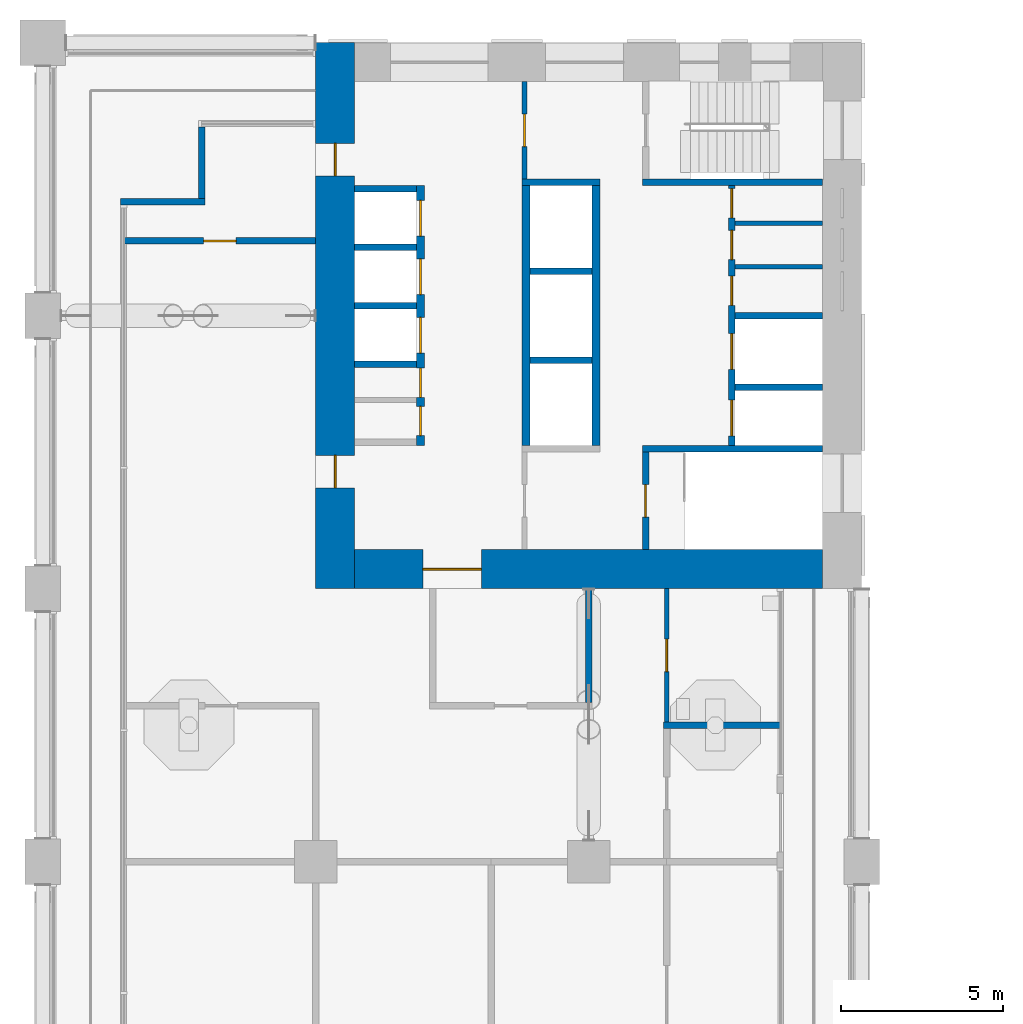
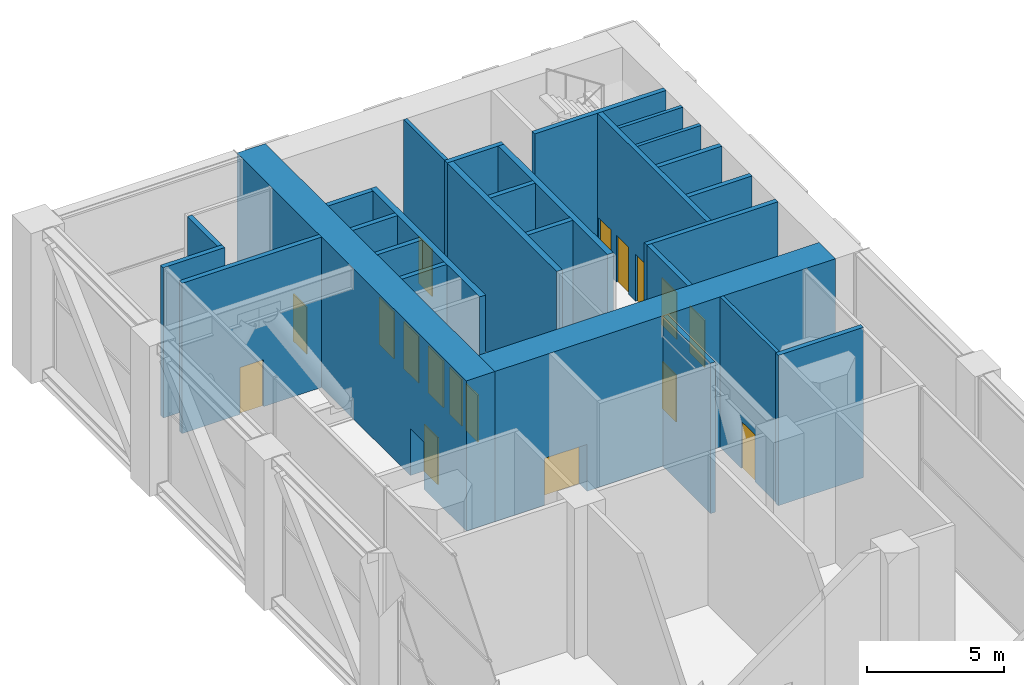
# One storey, part 13 of 28: 27 walls, 17 doors, 17 openings.
"""IFC4 building model written with IfcOpenShell, lengths in metres."""

from ifc_helpers import new_model, si_unit, direction, frame, frame_2d, origin, place, context, subcontext, project, spatial, rectangle, extrude, material, layer, layer_set, type_object, element, fill, save


model = new_model("IFC4")

# Units and contexts
model_context = context("Model", 3, precision=1e-05, world=origin(), true_north=direction((0.0, 1.0)))
body_context = subcontext(model_context, "Body", "Model", "MODEL_VIEW")
ifc_project = project(units=[si_unit("LENGTHUNIT", "METRE"), si_unit("AREAUNIT", "SQUARE_METRE"), si_unit("VOLUMEUNIT", "CUBIC_METRE"), si_unit("PLANEANGLEUNIT", "RADIAN"), si_unit("MASSUNIT", "GRAM", prefix="KILO")], contexts=[model_context])

# Site, building, storey
site_placement = place(None, origin())
site = spatial("IfcSite", under=ifc_project, at=site_placement, CompositionType="ELEMENT")
building_placement = place(site_placement, origin())
building = spatial("IfcBuilding", under=site, at=building_placement, Name="Vermilion Gate Residences", CompositionType="ELEMENT")
storey_placement = place(building_placement, frame((0.0, 0.0, 74.199951171875)))
storey = spatial("IfcBuildingStorey", under=building, at=storey_placement, Name="L18", CompositionType="ELEMENT", Elevation=74.199951171875)

# Walls
ifc_material_1 = material(Name="Masonry blockwork", Category="masonry")
ifc_layer_1 = layer(ifc_material_1, 0.14990234375)
ifc_layer_set_1 = layer_set([ifc_layer_1], Name="BLOCKWORK PARTITION 150 EI 120")
wall_type_1 = type_object("IfcWallType", Name="BLOCKWORK PARTITION 150 EI 120", PredefinedType="PARTITIONING", material=ifc_layer_set_1)
for number, where, z_axis, x_axis, name in (
    (1, (21.300048828125, 53.2451171875, 0.0), (0.0, 0.0, 1.0), (1.0, 0.0, 0.0), "Core room partition B18-NR-P0"),
    (2, (21.300048828125, 51.906982421875, 0.0), (0.0, 0.0, 1.0), (1.0, 0.0, 0.0), "Core room partition B18-NR-P1"),
):
    element("IfcWall", number, at=place(storey_placement, frame(where, z_axis=z_axis, x_axis=x_axis)), inside=storey, type_object=wall_type_1, Name=name, PredefinedType="PARTITIONING", context=body_context, shape_type="SweptSolid", body=[
        extrude(rectangle(XDim=2.699951171875, YDim=0.14990234375, at=frame_2d((1.35009765625, 0.0))), origin(), (0.0, 0.0, 1.0), 6.719970703125),
    ])

# Wall, opening, door
wall_1_placement = place(storey_placement, frame((14.824951171875, 57.60009765625, 0.0), z_axis=(0.0, 0.0, 1.0), x_axis=(0.0, -1.0, 0.0)))
wall_1 = element("IfcWall", 3, at=wall_1_placement, inside=storey, type_object=wall_type_1, Name="Core room partition B18-VW-S", PredefinedType="PARTITIONING", context=body_context, shape_type="SweptSolid", body=[
    extrude(rectangle(XDim=3.0, YDim=0.14990234375, at=frame_2d((1.5, 0.0))), origin(), (0.0, 0.0, 1.0), 6.719970703125),
])
opening_1_placement = place(wall_1_placement, frame((1.0, 0.0, 0.0)))
opening_1 = element("IfcOpeningElement", 4, at=opening_1_placement, cuts=wall_1, Name="Opening DK18114", PredefinedType="OPENING", context=body_context, shape_type="SweptSolid", body=[
    extrude(rectangle(XDim=1.0, YDim=2.10009765625, at=frame_2d((0.5, 1.050048828125))), frame((0.0, 0.0849609375, 0.0), z_axis=(0.0, -1.0, 0.0), x_axis=(1.0, 0.0, 0.0)), (0.0, 0.0, 1.0), 0.169921875),
])
ifc_material_2 = material(Name="Steel", Category="steel")
door_type_1 = type_object("IfcDoorType", Name="FIRE DOOR FD60 1000 X 2100", OperationType="SINGLE_SWING_LEFT", PredefinedType="DOOR", material=ifc_material_2)
door_1_placement = place(opening_1_placement, frame((1.0, 0.0, 0.0), z_axis=(0.0, 0.0, 1.0), x_axis=(-1.0, 0.0, 0.0)))
door_1 = element("IfcDoor", 5, at=door_1_placement, inside=storey, type_object=door_type_1, Name="Stair vestibule door B18", OperationType="SINGLE_SWING_RIGHT", OverallHeight=2.10009765625, OverallWidth=1.0, PredefinedType="DOOR", context=body_context, shape_type="SweptSolid", body=[
    extrude(rectangle(XDim=1.0, YDim=2.10009765625, at=frame_2d((0.5, 1.050048828125))), frame((0.0, 0.02490234375, 0.0), z_axis=(0.0, -1.0, 0.0), x_axis=(1.0, 0.0, 0.0)), (0.0, 0.0, 1.0), 0.050048828125),
])
fill(opening_1, door_1)

# Walls
ifc_material_3 = material(Name="Insulated steel stud wall with terracotta rainscreen", Category="masonry")
ifc_layer_2 = layer(ifc_material_3, 0.199951171875)
ifc_layer_set_2 = layer_set([ifc_layer_2], Name="EXTERNAL WALL 200 TERRACOTTA RAINSCREEN")
wall_type_2 = type_object("IfcWallType", Name="EXTERNAL WALL 200 TERRACOTTA RAINSCREEN", PredefinedType="SOLIDWALL", material=ifc_layer_set_2)
wall_2_placement = place(storey_placement, frame((4.89990234375, 56.199951171875, 0.0), z_axis=(0.0, 0.0, 1.0), x_axis=(0.0, -1.0, 0.0)))
element("IfcWall", 6, at=wall_2_placement, inside=storey, type_object=wall_type_2, Name="External wall", PredefinedType="SOLIDWALL", context=body_context, shape_type="SweptSolid", body=[
    extrude(rectangle(XDim=2.199951171875, YDim=0.199951171875, at=frame_2d((1.10009765625, 0.0))), origin(), (0.0, 0.0, 1.0), 6.719970703125),
])
wall_3_placement = place(storey_placement, frame((5.0, 53.89990234375, 0.0), z_axis=(0.0, 0.0, 1.0), x_axis=(-1.0, 0.0, 0.0)))
element("IfcWall", 7, at=wall_3_placement, inside=storey, type_object=wall_type_2, Name="External wall", PredefinedType="SOLIDWALL", context=body_context, shape_type="SweptSolid", body=[
    extrude(rectangle(XDim=2.60009765625, YDim=0.199951171875, at=frame_2d((1.300048828125, 0.0))), origin(), (0.0, 0.0, 1.0), 6.719970703125),
])

# Wall, opening, door
ifc_material_4 = material(Name="Concrete blockwork", Category="masonry")
ifc_layer_3 = layer(ifc_material_4, 0.199951171875)
ifc_layer_set_3 = layer_set([ifc_layer_3], Name="FIRE WALL 200 EI 120 (AMENITY)")
wall_type_3 = type_object("IfcWallType", Name="FIRE WALL 200 EI 120 (AMENITY)", PredefinedType="PARTITIONING", material=ifc_layer_set_3)
wall_4_placement = place(storey_placement, frame((2.5, 52.699951171875, 0.0), z_axis=(0.0, 0.0, 1.0), x_axis=(1.0, 0.0, 0.0)))
wall_4 = element("IfcWall", 8, at=wall_4_placement, inside=storey, type_object=wall_type_3, Name="Fire-resisting wall 7", PredefinedType="PARTITIONING", context=body_context, shape_type="SweptSolid", body=[
    extrude(rectangle(XDim=5.89990234375, YDim=0.199951171875, at=frame_2d((2.949951171875, 0.0))), origin(), (0.0, 0.0, 1.0), 6.719970703125),
])
opening_2_placement = place(wall_4_placement, frame((2.449951171875, 0.0, 0.0)))
opening_2 = element("IfcOpeningElement", 9, at=opening_2_placement, cuts=wall_4, Name="Opening DM18016", PredefinedType="OPENING", context=body_context, shape_type="SweptSolid", body=[
    extrude(rectangle(XDim=1.0, YDim=2.10009765625, at=frame_2d((0.5, 1.050048828125))), frame((0.0, 0.10986328125, 0.0), z_axis=(0.0, -1.0, 0.0), x_axis=(1.0, 0.0, 0.0)), (0.0, 0.0, 1.0), 0.219970703125),
])
ifc_material_5 = material(Name="Steel", Category="steel")
door_type_2 = type_object("IfcDoorType", Name="DOOR 1000 X 2100 FD60 (AMENITY)", OperationType="SINGLE_SWING_LEFT", PredefinedType="DOOR", material=ifc_material_5)
door_2_placement = place(opening_2_placement, frame((1.0, 0.0, 0.0), z_axis=(0.0, 0.0, 1.0), x_axis=(-1.0, 0.0, 0.0)))
door_2 = element("IfcDoor", 10, at=door_2_placement, inside=storey, type_object=door_type_2, Name="Door L18 16", OperationType="SINGLE_SWING_RIGHT", OverallHeight=2.10009765625, OverallWidth=1.0, PredefinedType="DOOR", context=body_context, shape_type="SweptSolid", body=[
    extrude(rectangle(XDim=1.0, YDim=2.10009765625, at=frame_2d((0.5, 1.050048828125))), frame((0.0, 0.02490234375, 0.0), z_axis=(0.0, -1.0, 0.0), x_axis=(1.0, 0.0, 0.0)), (0.0, 0.0, 1.0), 0.050048828125),
])
fill(opening_2, door_2)

# Walls
wall_5_placement = place(storey_placement, frame((16.800048828125, 38.5, 0.0), z_axis=(0.0, 0.0, 1.0), x_axis=(0.0, 1.0, 0.0)))
element("IfcWall", 11, at=wall_5_placement, inside=storey, type_object=wall_type_3, Name="Fire-resisting wall 19", PredefinedType="PARTITIONING", context=body_context, shape_type="SweptSolid", body=[
    extrude(rectangle(XDim=3.5, YDim=0.199951171875, at=frame_2d((1.75, 0.0))), origin(), (0.0, 0.0, 1.0), 6.719970703125),
])
wall_6_placement = place(storey_placement, frame((19.10009765625, 37.800048828125, 0.0), z_axis=(0.0, 0.0, 1.0), x_axis=(1.0, 0.0, 0.0)))
element("IfcWall", 12, at=wall_6_placement, inside=storey, type_object=wall_type_3, Name="Fire-resisting wall 27", PredefinedType="PARTITIONING", context=body_context, shape_type="SweptSolid", body=[
    extrude(rectangle(XDim=3.599853515625, YDim=0.199951171875, at=frame_2d((1.7998046875, 0.0))), origin(), (0.0, 0.0, 1.0), 6.719970703125),
])

# Wall, opening, door
ifc_material_6 = material(Name="Gypsum board on steel studs", Category="steel")
ifc_layer_4 = layer(ifc_material_6, 0.14990234375)
ifc_layer_set_4 = layer_set([ifc_layer_4], Name="PARTITION 150 EI 60 (AMENITY)")
wall_type_4 = type_object("IfcWallType", Name="PARTITION 150 EI 60 (AMENITY)", PredefinedType="PARTITIONING", material=ifc_layer_set_4)
wall_7_placement = place(storey_placement, frame((19.199951171875, 37.89990234375, 0.0), z_axis=(0.0, 0.0, 1.0), x_axis=(0.0, 1.0, 0.0)))
wall_7 = element("IfcWall", 13, at=wall_7_placement, inside=storey, type_object=wall_type_4, Name="Partition 26", PredefinedType="PARTITIONING", context=body_context, shape_type="SweptSolid", body=[
    extrude(rectangle(XDim=4.10009765625, YDim=0.14990234375, at=frame_2d((2.050048828125, 0.0))), origin(), (0.0, 0.0, 1.0), 6.719970703125),
])
opening_3_placement = place(wall_7_placement, frame((1.550048828125, 0.0, 0.0)))
opening_3 = element("IfcOpeningElement", 14, at=opening_3_placement, cuts=wall_7, Name="Opening DM18007", PredefinedType="OPENING", context=body_context, shape_type="SweptSolid", body=[
    extrude(rectangle(XDim=1.0, YDim=2.10009765625, at=frame_2d((0.5, 1.050048828125))), frame((0.0, 0.0849609375, 0.0), z_axis=(0.0, -1.0, 0.0), x_axis=(1.0, 0.0, 0.0)), (0.0, 0.0, 1.0), 0.169921875),
])
ifc_material_7 = material(Name="Steel", Category="steel")
door_type_3 = type_object("IfcDoorType", Name="DOOR 1000 X 2100 FD30 (AMENITY)", OperationType="SINGLE_SWING_LEFT", PredefinedType="DOOR", material=ifc_material_7)
door_3_placement = place(opening_3_placement, frame((1.0, 0.0, 0.0), z_axis=(0.0, 0.0, 1.0), x_axis=(-1.0, 0.0, 0.0)))
door_3 = element("IfcDoor", 15, at=door_3_placement, inside=storey, type_object=door_type_3, Name="Door L18 7", OperationType="SINGLE_SWING_RIGHT", OverallHeight=2.10009765625, OverallWidth=1.0, PredefinedType="DOOR", context=body_context, shape_type="SweptSolid", body=[
    extrude(rectangle(XDim=1.0, YDim=2.10009765625, at=frame_2d((0.5, 1.050048828125))), frame((0.0, 0.02490234375, 0.0), z_axis=(0.0, -1.0, 0.0), x_axis=(1.0, 0.0, 0.0)), (0.0, 0.0, 1.0), 0.050048828125),
])
fill(opening_3, door_3)

# Walls
ifc_material_8 = material(Name="Concrete C60", Category="concrete")
ifc_layer_5 = layer(ifc_material_8, 0.199951171875)
ifc_layer_set_5 = layer_set([ifc_layer_5], Name="RC CORE INTERNAL WALL 200 C60")
wall_type_5 = type_object("IfcWallType", Name="RC CORE INTERNAL WALL 200 C60", PredefinedType="SHEAR", material=ifc_layer_set_5)
for number, where, z_axis, x_axis, name in (
    (16, (9.60009765625, 54.300048828125, 0.0), (0.0, 0.0, 1.0), (1.0, 0.0, 0.0), "Core internal wall B18-LR-D0"),
    (17, (9.60009765625, 52.5, 0.0), (0.0, 0.0, 1.0), (1.0, 0.0, 0.0), "Core internal wall B18-LR-D1"),
    (18, (9.60009765625, 50.699951171875, 0.0), (0.0, 0.0, 1.0), (1.0, 0.0, 0.0), "Core internal wall B18-LR-D2"),
    (19, (9.60009765625, 48.89990234375, 0.0), (0.0, 0.0, 1.0), (1.0, 0.0, 0.0), "Core internal wall B18-LR-D3"),
    (20, (15.0, 51.7666015625, 0.0), (0.0, 0.0, 1.0), (1.0, 0.0, 0.0), "Core internal wall B18-HR-D1"),
    (21, (15.0, 49.033447265625, 0.0), (0.0, 0.0, 1.0), (1.0, 0.0, 0.0), "Core internal wall B18-HR-D2"),
):
    element("IfcWall", number, at=place(storey_placement, frame(where, z_axis=z_axis, x_axis=x_axis)), inside=storey, type_object=wall_type_5, Name=name, PredefinedType="SHEAR", context=body_context, shape_type="SweptSolid", body=[
        extrude(rectangle(XDim=1.89990234375, YDim=0.199951171875, at=frame_2d((0.949951171875, 0.0))), origin(), (0.0, 0.0, 1.0), 6.719970703125),
    ])
for number, where, z_axis, x_axis, name in (
    (22, (21.300048828125, 50.39990234375, 0.0), (0.0, 0.0, 1.0), (1.0, 0.0, 0.0), "Core internal wall B18-FF-D0"),
    (23, (21.300048828125, 48.199951171875, 0.0), (0.0, 0.0, 1.0), (1.0, 0.0, 0.0), "Core internal wall B18-FF-D1"),
):
    element("IfcWall", number, at=place(storey_placement, frame(where, z_axis=z_axis, x_axis=x_axis)), inside=storey, type_object=wall_type_5, Name=name, PredefinedType="SHEAR", context=body_context, shape_type="SweptSolid", body=[
        extrude(rectangle(XDim=2.699951171875, YDim=0.199951171875, at=frame_2d((1.35009765625, 0.0))), origin(), (0.0, 0.0, 1.0), 6.719970703125),
    ])

# Wall, openings, doors
wall_8_placement = place(storey_placement, frame((21.199951171875, 54.39990234375, 0.0), z_axis=(0.0, 0.0, 1.0), x_axis=(0.0, -1.0, 0.0)))
wall_8 = element("IfcWall", 24, at=wall_8_placement, inside=storey, type_object=wall_type_5, Name="Core internal wall B18-FF-F", PredefinedType="SHEAR", context=body_context, shape_type="SweptSolid", body=[
    extrude(rectangle(XDim=8.0, YDim=0.199951171875, at=frame_2d((4.0, 0.0))), origin(), (0.0, 0.0, 1.0), 6.719970703125),
])
opening_4_placement = place(wall_8_placement, frame((0.090087890625, 0.0, 0.0)))
opening_4 = element("IfcOpeningElement", 25, at=opening_4_placement, cuts=wall_8, Name="Opening DK18109", PredefinedType="OPENING", context=body_context, shape_type="SweptSolid", body=[
    extrude(rectangle(XDim=0.89990234375, YDim=2.10009765625, at=frame_2d((0.449951171875, 1.050048828125))), frame((0.0, 0.10986328125, 0.0), z_axis=(0.0, -1.0, 0.0), x_axis=(1.0, 0.0, 0.0)), (0.0, 0.0, 1.0), 0.219970703125),
])
opening_5_placement = place(wall_8_placement, frame((1.3740234375, 0.0, 0.0)))
opening_5 = element("IfcOpeningElement", 26, at=opening_5_placement, cuts=wall_8, Name="Opening DK18110", PredefinedType="OPENING", context=body_context, shape_type="SweptSolid", body=[
    extrude(rectangle(XDim=0.89990234375, YDim=2.10009765625, at=frame_2d((0.449951171875, 1.050048828125))), frame((0.0, 0.10986328125, 0.0), z_axis=(0.0, -1.0, 0.0), x_axis=(1.0, 0.0, 0.0)), (0.0, 0.0, 1.0), 0.219970703125),
])
opening_6_placement = place(wall_8_placement, frame((2.783935546875, 0.0, 0.0)))
opening_6 = element("IfcOpeningElement", 27, at=opening_6_placement, cuts=wall_8, Name="Opening DK18111", PredefinedType="OPENING", context=body_context, shape_type="SweptSolid", body=[
    extrude(rectangle(XDim=0.89990234375, YDim=2.10009765625, at=frame_2d((0.449951171875, 1.050048828125))), frame((0.0, 0.10986328125, 0.0), z_axis=(0.0, -1.0, 0.0), x_axis=(1.0, 0.0, 0.0)), (0.0, 0.0, 1.0), 0.219970703125),
])
opening_7_placement = place(wall_8_placement, frame((4.550048828125, 0.0, 0.0)))
opening_7 = element("IfcOpeningElement", 28, at=opening_7_placement, cuts=wall_8, Name="Opening LD", PredefinedType="OPENING", context=body_context, shape_type="SweptSolid", body=[
    extrude(rectangle(XDim=1.10009765625, YDim=2.10009765625, at=frame_2d((0.550048828125, 1.050048828125))), frame((0.0, 0.10986328125, 0.0), z_axis=(0.0, -1.0, 0.0), x_axis=(1.0, 0.0, 0.0)), (0.0, 0.0, 1.0), 0.219970703125),
])
opening_8_placement = place(wall_8_placement, frame((6.60009765625, 0.0, 0.0)))
opening_8 = element("IfcOpeningElement", 29, at=opening_8_placement, cuts=wall_8, Name="Opening LD", PredefinedType="OPENING", context=body_context, shape_type="SweptSolid", body=[
    extrude(rectangle(XDim=1.10009765625, YDim=2.10009765625, at=frame_2d((0.550048828125, 1.050048828125))), frame((0.0, 0.10986328125, 0.0), z_axis=(0.0, -1.0, 0.0), x_axis=(1.0, 0.0, 0.0)), (0.0, 0.0, 1.0), 0.219970703125),
])
ifc_material_9 = material(Name="Stainless steel", Category="steel")
door_type_4 = type_object("IfcDoorType", Name="LIFT LANDING DOOR E60 1100 X 2100", OperationType="DOUBLE_DOOR_SLIDING", PredefinedType="DOOR", material=ifc_material_9)
door_4_placement = place(opening_7_placement, origin())
door_4 = element("IfcDoor", 30, at=door_4_placement, inside=storey, type_object=door_type_4, Name="Lift landing door LFB1", OperationType="DOUBLE_DOOR_SLIDING", OverallHeight=2.10009765625, OverallWidth=1.10009765625, PredefinedType="DOOR", context=body_context, shape_type="SweptSolid", body=[
    extrude(rectangle(XDim=1.10009765625, YDim=2.10009765625, at=frame_2d((0.550048828125, 1.050048828125))), frame((0.0, 0.02490234375, 0.0), z_axis=(0.0, -1.0, 0.0), x_axis=(1.0, 0.0, 0.0)), (0.0, 0.0, 1.0), 0.050048828125),
])
fill(opening_7, door_4)
door_5_placement = place(opening_8_placement, origin())
door_5 = element("IfcDoor", 31, at=door_5_placement, inside=storey, type_object=door_type_4, Name="Lift landing door LCB1", OperationType="DOUBLE_DOOR_SLIDING", OverallHeight=2.10009765625, OverallWidth=1.10009765625, PredefinedType="DOOR", context=body_context, shape_type="SweptSolid", body=[
    extrude(rectangle(XDim=1.10009765625, YDim=2.10009765625, at=frame_2d((0.550048828125, 1.050048828125))), frame((0.0, 0.02490234375, 0.0), z_axis=(0.0, -1.0, 0.0), x_axis=(1.0, 0.0, 0.0)), (0.0, 0.0, 1.0), 0.050048828125),
])
fill(opening_8, door_5)
ifc_material_10 = material(Name="Steel", Category="steel")
door_type_5 = type_object("IfcDoorType", Name="SERVICE ROOM DOOR FD60 900 X 2100", OperationType="SINGLE_SWING_LEFT", PredefinedType="DOOR", material=ifc_material_10)
door_6_placement = place(opening_4_placement, frame((0.89990234375, 0.0, 0.0), z_axis=(0.0, 0.0, 1.0), x_axis=(-1.0, 0.0, 0.0)))
door_6 = element("IfcDoor", 32, at=door_6_placement, inside=storey, type_object=door_type_5, Name="Boiler plant room B18", OperationType="SINGLE_SWING_RIGHT", OverallHeight=2.10009765625, OverallWidth=0.89990234375, PredefinedType="DOOR", context=body_context, shape_type="SweptSolid", body=[
    extrude(rectangle(XDim=0.89990234375, YDim=2.10009765625, at=frame_2d((0.449951171875, 1.050048828125))), frame((0.0, 0.02490234375, 0.0), z_axis=(0.0, -1.0, 0.0), x_axis=(1.0, 0.0, 0.0)), (0.0, 0.0, 1.0), 0.050048828125),
])
fill(opening_4, door_6)
door_7_placement = place(opening_5_placement, frame((0.89990234375, 0.0, 0.0), z_axis=(0.0, 0.0, 1.0), x_axis=(-1.0, 0.0, 0.0)))
door_7 = element("IfcDoor", 33, at=door_7_placement, inside=storey, type_object=door_type_5, Name="Pressurisation fan plant room B18", OperationType="SINGLE_SWING_RIGHT", OverallHeight=2.10009765625, OverallWidth=0.89990234375, PredefinedType="DOOR", context=body_context, shape_type="SweptSolid", body=[
    extrude(rectangle(XDim=0.89990234375, YDim=2.10009765625, at=frame_2d((0.449951171875, 1.050048828125))), frame((0.0, 0.02490234375, 0.0), z_axis=(0.0, -1.0, 0.0), x_axis=(1.0, 0.0, 0.0)), (0.0, 0.0, 1.0), 0.050048828125),
])
fill(opening_5, door_7)
door_8_placement = place(opening_6_placement, frame((0.89990234375, 0.0, 0.0), z_axis=(0.0, 0.0, 1.0), x_axis=(-1.0, 0.0, 0.0)))
door_8 = element("IfcDoor", 34, at=door_8_placement, inside=storey, type_object=door_type_5, Name="Water tank room B18", OperationType="SINGLE_SWING_RIGHT", OverallHeight=2.10009765625, OverallWidth=0.89990234375, PredefinedType="DOOR", context=body_context, shape_type="SweptSolid", body=[
    extrude(rectangle(XDim=0.89990234375, YDim=2.10009765625, at=frame_2d((0.449951171875, 1.050048828125))), frame((0.0, 0.02490234375, 0.0), z_axis=(0.0, -1.0, 0.0), x_axis=(1.0, 0.0, 0.0)), (0.0, 0.0, 1.0), 0.050048828125),
])
fill(opening_6, door_8)

# Walls
wall_9_placement = place(storey_placement, frame((14.75, 54.5, 0.0), z_axis=(0.0, 0.0, 1.0), x_axis=(1.0, 0.0, 0.0)))
element("IfcWall", 35, at=wall_9_placement, inside=storey, type_object=wall_type_5, Name="Core internal wall B18-WDIV1", PredefinedType="SHEAR", context=body_context, shape_type="SweptSolid", body=[
    extrude(rectangle(XDim=2.39990234375, YDim=0.199951171875, at=frame_2d((1.199951171875, 0.0))), origin(), (0.0, 0.0, 1.0), 6.719970703125),
])
for number, where, z_axis, x_axis, name in (
    (36, (18.449951171875, 54.5, 0.0), (0.0, 0.0, 1.0), (1.0, 0.0, 0.0), "Core internal wall B18-WDIV2"),
    (37, (18.449951171875, 46.300048828125, 0.0), (0.0, 0.0, 1.0), (1.0, 0.0, 0.0), "Core internal wall B18-EDIV2"),
):
    element("IfcWall", number, at=place(storey_placement, frame(where, z_axis=z_axis, x_axis=x_axis)), inside=storey, type_object=wall_type_5, Name=name, PredefinedType="SHEAR", context=body_context, shape_type="SweptSolid", body=[
        extrude(rectangle(XDim=5.550048828125, YDim=0.199951171875, at=frame_2d((2.77490234375, 0.0))), origin(), (0.0, 0.0, 1.0), 6.719970703125),
    ])

# Wall, opening, door
wall_10_placement = place(storey_placement, frame((18.550048828125, 46.199951171875, 0.0), z_axis=(0.0, 0.0, 1.0), x_axis=(0.0, -1.0, 0.0)))
wall_10 = element("IfcWall", 38, at=wall_10_placement, inside=storey, type_object=wall_type_5, Name="Core internal wall B18-STE-S", PredefinedType="SHEAR", context=body_context, shape_type="SweptSolid", body=[
    extrude(rectangle(XDim=3.0, YDim=0.199951171875, at=frame_2d((1.5, 0.0))), origin(), (0.0, 0.0, 1.0), 6.719970703125),
])
opening_9_placement = place(wall_10_placement, frame((1.0, 0.0, 0.0)))
opening_9 = element("IfcOpeningElement", 39, at=opening_9_placement, cuts=wall_10, Name="Opening DK18117", PredefinedType="OPENING", context=body_context, shape_type="SweptSolid", body=[
    extrude(rectangle(XDim=1.0, YDim=2.10009765625, at=frame_2d((0.5, 1.050048828125))), frame((0.0, 0.10986328125, 0.0), z_axis=(0.0, -1.0, 0.0), x_axis=(1.0, 0.0, 0.0)), (0.0, 0.0, 1.0), 0.219970703125),
])
door_9_placement = place(opening_9_placement, origin())
door_9 = element("IfcDoor", 40, at=door_9_placement, inside=storey, type_object=door_type_1, Name="Stair door B18", OperationType="SINGLE_SWING_LEFT", OverallHeight=2.10009765625, OverallWidth=1.0, PredefinedType="DOOR", context=body_context, shape_type="SweptSolid", body=[
    extrude(rectangle(XDim=1.0, YDim=2.10009765625, at=frame_2d((0.5, 1.050048828125))), frame((0.0, 0.02490234375, 0.0), z_axis=(0.0, -1.0, 0.0), x_axis=(1.0, 0.0, 0.0)), (0.0, 0.0, 1.0), 0.050048828125),
])
fill(opening_9, door_9)

# Wall, openings, doors
ifc_material_11 = material(Name="Concrete C80", Category="concrete")
ifc_layer_6 = layer(ifc_material_11, 1.199951171875)
ifc_layer_set_6 = layer_set([ifc_layer_6], Name="RC CORE WALL 1200 C80")
wall_type_6 = type_object("IfcWallType", Name="RC CORE WALL 1200 C80", PredefinedType="SHEAR", material=ifc_layer_set_6)
wall_11_placement = place(storey_placement, frame((9.0, 58.800048828125, 0.0), z_axis=(0.0, 0.0, 1.0), x_axis=(0.0, -1.0, 0.0)))
wall_11 = element("IfcWall", 41, at=wall_11_placement, inside=storey, type_object=wall_type_6, Name="Core wall B18-OUT-B0", PredefinedType="SHEAR", context=body_context, shape_type="SweptSolid", body=[
    extrude(rectangle(XDim=16.800048828125, YDim=1.199951171875, at=frame_2d((8.39990234375, 0.0))), origin(), (0.0, 0.0, 1.0), 6.719970703125),
])
opening_10_placement = place(wall_11_placement, frame((3.10009765625, 0.0, 0.0)))
opening_10 = element("IfcOpeningElement", 42, at=opening_10_placement, cuts=wall_11, Name="Opening DK18101", PredefinedType="OPENING", context=body_context, shape_type="SweptSolid", body=[
    extrude(rectangle(XDim=1.0, YDim=2.10009765625, at=frame_2d((0.5, 1.050048828125))), frame((0.0, 0.60986328125, 0.0), z_axis=(0.0, -1.0, 0.0), x_axis=(1.0, 0.0, 0.0)), (0.0, 0.0, 1.0), 1.219970703125),
])
opening_11_placement = place(wall_11_placement, frame((12.699951171875, 0.0, 0.0)))
opening_11 = element("IfcOpeningElement", 43, at=opening_11_placement, cuts=wall_11, Name="Opening DK18102", PredefinedType="OPENING", context=body_context, shape_type="SweptSolid", body=[
    extrude(rectangle(XDim=1.0, YDim=2.10009765625, at=frame_2d((0.5, 1.050048828125))), frame((0.0, 0.60986328125, 0.0), z_axis=(0.0, -1.0, 0.0), x_axis=(1.0, 0.0, 0.0)), (0.0, 0.0, 1.0), 1.219970703125),
])
door_10_placement = place(opening_10_placement, origin())
door_10 = element("IfcDoor", 44, at=door_10_placement, inside=storey, type_object=door_type_1, Name="Core lobby side door B18", OperationType="SINGLE_SWING_RIGHT", OverallHeight=2.10009765625, OverallWidth=1.0, PredefinedType="DOOR", context=body_context, shape_type="SweptSolid", body=[
    extrude(rectangle(XDim=1.0, YDim=2.10009765625, at=frame_2d((0.5, 1.050048828125))), frame((0.0, 0.02490234375, 0.0), z_axis=(0.0, -1.0, 0.0), x_axis=(1.0, 0.0, 0.0)), (0.0, 0.0, 1.0), 0.050048828125),
])
fill(opening_10, door_10)
door_11_placement = place(opening_11_placement, origin())
door_11 = element("IfcDoor", 45, at=door_11_placement, inside=storey, type_object=door_type_1, Name="Core lobby side door B18", OperationType="SINGLE_SWING_LEFT", OverallHeight=2.10009765625, OverallWidth=1.0, PredefinedType="DOOR", context=body_context, shape_type="SweptSolid", body=[
    extrude(rectangle(XDim=1.0, YDim=2.10009765625, at=frame_2d((0.5, 1.050048828125))), frame((0.0, 0.02490234375, 0.0), z_axis=(0.0, -1.0, 0.0), x_axis=(1.0, 0.0, 0.0)), (0.0, 0.0, 1.0), 0.050048828125),
])
fill(opening_11, door_11)

# Wall, opening, door
wall_12_placement = place(storey_placement, frame((9.60009765625, 42.60009765625, 0.0), z_axis=(0.0, 0.0, 1.0), x_axis=(1.0, 0.0, 0.0)))
wall_12 = element("IfcWall", 46, at=wall_12_placement, inside=storey, type_object=wall_type_6, Name="Core wall B18-OUT-BK", PredefinedType="SHEAR", context=body_context, shape_type="SweptSolid", body=[
    extrude(rectangle(XDim=14.39990234375, YDim=1.199951171875, at=frame_2d((7.199951171875, 0.0))), origin(), (0.0, 0.0, 1.0), 6.719970703125),
])
opening_12_placement = place(wall_12_placement, frame((2.10009765625, 0.0, 0.0)))
opening_12 = element("IfcOpeningElement", 47, at=opening_12_placement, cuts=wall_12, Name="Opening DK18103", PredefinedType="OPENING", context=body_context, shape_type="SweptSolid", body=[
    extrude(rectangle(XDim=1.800048828125, YDim=2.10009765625, at=frame_2d((0.89990234375, 1.050048828125))), frame((0.0, 0.60986328125, 0.0), z_axis=(0.0, -1.0, 0.0), x_axis=(1.0, 0.0, 0.0)), (0.0, 0.0, 1.0), 1.219970703125),
])
ifc_material_12 = material(Name="Steel", Category="steel")
door_type_6 = type_object("IfcDoorType", Name="CORE LOBBY DOOR FD60 1800 X 2100", OperationType="DOUBLE_DOOR_SINGLE_SWING", PredefinedType="DOOR", material=ifc_material_12)
door_12_placement = place(opening_12_placement, origin())
door_12 = element("IfcDoor", 48, at=door_12_placement, inside=storey, type_object=door_type_6, Name="Core lobby door B18", OperationType="DOUBLE_DOOR_SINGLE_SWING", OverallHeight=2.10009765625, OverallWidth=1.800048828125, PredefinedType="DOOR", context=body_context, shape_type="SweptSolid", body=[
    extrude(rectangle(XDim=1.800048828125, YDim=2.10009765625, at=frame_2d((0.89990234375, 1.050048828125))), frame((0.0, 0.02490234375, 0.0), z_axis=(0.0, -1.0, 0.0), x_axis=(1.0, 0.0, 0.0)), (0.0, 0.0, 1.0), 0.050048828125),
])
fill(opening_12, door_12)

# Wall, openings, doors
ifc_material_13 = material(Name="Concrete C60", Category="concrete")
ifc_layer_7 = layer(ifc_material_13, 0.25)
ifc_layer_set_7 = layer_set([ifc_layer_7], Name="RC LIFT SHAFT WALL 250 C60")
wall_type_7 = type_object("IfcWallType", Name="RC LIFT SHAFT WALL 250 C60", PredefinedType="SHEAR", material=ifc_layer_set_7)
wall_13_placement = place(storey_placement, frame((11.625, 54.39990234375, 0.0), z_axis=(0.0, 0.0, 1.0), x_axis=(0.0, -1.0, 0.0)))
wall_13 = element("IfcWall", 49, at=wall_13_placement, inside=storey, type_object=wall_type_7, Name="Lift shaft wall B18-LR-F", PredefinedType="SHEAR", context=body_context, shape_type="SweptSolid", body=[
    extrude(rectangle(XDim=8.0, YDim=0.25, at=frame_2d((4.0, 0.0))), origin(), (0.0, 0.0, 1.0), 6.719970703125),
])
opening_13_placement = place(wall_13_placement, frame((0.449951171875, 0.0, 0.0)))
opening_13 = element("IfcOpeningElement", 50, at=opening_13_placement, cuts=wall_13, Name="Opening LD", PredefinedType="OPENING", context=body_context, shape_type="SweptSolid", body=[
    extrude(rectangle(XDim=1.10009765625, YDim=2.10009765625, at=frame_2d((0.550048828125, 1.050048828125))), frame((0.0, 0.135009765625, 0.0), z_axis=(0.0, -1.0, 0.0), x_axis=(1.0, 0.0, 0.0)), (0.0, 0.0, 1.0), 0.27001953125),
])
opening_14_placement = place(wall_13_placement, frame((2.25, 0.0, 0.0)))
opening_14 = element("IfcOpeningElement", 51, at=opening_14_placement, cuts=wall_13, Name="Opening LD", PredefinedType="OPENING", context=body_context, shape_type="SweptSolid", body=[
    extrude(rectangle(XDim=1.10009765625, YDim=2.10009765625, at=frame_2d((0.550048828125, 1.050048828125))), frame((0.0, 0.135009765625, 0.0), z_axis=(0.0, -1.0, 0.0), x_axis=(1.0, 0.0, 0.0)), (0.0, 0.0, 1.0), 0.27001953125),
])
opening_15_placement = place(wall_13_placement, frame((4.050048828125, 0.0, 0.0)))
opening_15 = element("IfcOpeningElement", 52, at=opening_15_placement, cuts=wall_13, Name="Opening LD", PredefinedType="OPENING", context=body_context, shape_type="SweptSolid", body=[
    extrude(rectangle(XDim=1.10009765625, YDim=2.10009765625, at=frame_2d((0.550048828125, 1.050048828125))), frame((0.0, 0.135009765625, 0.0), z_axis=(0.0, -1.0, 0.0), x_axis=(1.0, 0.0, 0.0)), (0.0, 0.0, 1.0), 0.27001953125),
])
opening_16_placement = place(wall_13_placement, frame((5.611328125, 0.0, 0.0)))
opening_16 = element("IfcOpeningElement", 53, at=opening_16_placement, cuts=wall_13, Name="Opening DK18107", PredefinedType="OPENING", context=body_context, shape_type="SweptSolid", body=[
    extrude(rectangle(XDim=0.89990234375, YDim=2.10009765625, at=frame_2d((0.449951171875, 1.050048828125))), frame((0.0, 0.135009765625, 0.0), z_axis=(0.0, -1.0, 0.0), x_axis=(1.0, 0.0, 0.0)), (0.0, 0.0, 1.0), 0.27001953125),
])
opening_17_placement = place(wall_13_placement, frame((6.7861328125, 0.0, 0.0)))
opening_17 = element("IfcOpeningElement", 54, at=opening_17_placement, cuts=wall_13, Name="Opening DK18108", PredefinedType="OPENING", context=body_context, shape_type="SweptSolid", body=[
    extrude(rectangle(XDim=0.89990234375, YDim=2.10009765625, at=frame_2d((0.449951171875, 1.050048828125))), frame((0.0, 0.135009765625, 0.0), z_axis=(0.0, -1.0, 0.0), x_axis=(1.0, 0.0, 0.0)), (0.0, 0.0, 1.0), 0.27001953125),
])
door_13_placement = place(opening_13_placement, origin())
door_13 = element("IfcDoor", 55, at=door_13_placement, inside=storey, type_object=door_type_4, Name="Lift landing door LRB1", OperationType="DOUBLE_DOOR_SLIDING", OverallHeight=2.10009765625, OverallWidth=1.10009765625, PredefinedType="DOOR", context=body_context, shape_type="SweptSolid", body=[
    extrude(rectangle(XDim=1.10009765625, YDim=2.10009765625, at=frame_2d((0.550048828125, 1.050048828125))), frame((0.0, 0.02490234375, 0.0), z_axis=(0.0, -1.0, 0.0), x_axis=(1.0, 0.0, 0.0)), (0.0, 0.0, 1.0), 0.050048828125),
])
fill(opening_13, door_13)
door_14_placement = place(opening_14_placement, origin())
door_14 = element("IfcDoor", 56, at=door_14_placement, inside=storey, type_object=door_type_4, Name="Lift landing door LRB2", OperationType="DOUBLE_DOOR_SLIDING", OverallHeight=2.10009765625, OverallWidth=1.10009765625, PredefinedType="DOOR", context=body_context, shape_type="SweptSolid", body=[
    extrude(rectangle(XDim=1.10009765625, YDim=2.10009765625, at=frame_2d((0.550048828125, 1.050048828125))), frame((0.0, 0.02490234375, 0.0), z_axis=(0.0, -1.0, 0.0), x_axis=(1.0, 0.0, 0.0)), (0.0, 0.0, 1.0), 0.050048828125),
])
fill(opening_14, door_14)
door_15_placement = place(opening_15_placement, origin())
door_15 = element("IfcDoor", 57, at=door_15_placement, inside=storey, type_object=door_type_4, Name="Lift landing door LRB3", OperationType="DOUBLE_DOOR_SLIDING", OverallHeight=2.10009765625, OverallWidth=1.10009765625, PredefinedType="DOOR", context=body_context, shape_type="SweptSolid", body=[
    extrude(rectangle(XDim=1.10009765625, YDim=2.10009765625, at=frame_2d((0.550048828125, 1.050048828125))), frame((0.0, 0.02490234375, 0.0), z_axis=(0.0, -1.0, 0.0), x_axis=(1.0, 0.0, 0.0)), (0.0, 0.0, 1.0), 0.050048828125),
])
fill(opening_15, door_15)
door_16_placement = place(opening_16_placement, origin())
door_16 = element("IfcDoor", 58, at=door_16_placement, inside=storey, type_object=door_type_5, Name="Electrical switch room B18", OperationType="SINGLE_SWING_LEFT", OverallHeight=2.10009765625, OverallWidth=0.89990234375, PredefinedType="DOOR", context=body_context, shape_type="SweptSolid", body=[
    extrude(rectangle(XDim=0.89990234375, YDim=2.10009765625, at=frame_2d((0.449951171875, 1.050048828125))), frame((0.0, 0.02490234375, 0.0), z_axis=(0.0, -1.0, 0.0), x_axis=(1.0, 0.0, 0.0)), (0.0, 0.0, 1.0), 0.050048828125),
])
fill(opening_16, door_16)
door_17_placement = place(opening_17_placement, frame((0.89990234375, 0.0, 0.0), z_axis=(0.0, 0.0, 1.0), x_axis=(-1.0, 0.0, 0.0)))
door_17 = element("IfcDoor", 59, at=door_17_placement, inside=storey, type_object=door_type_5, Name="Mechanical riser B18", OperationType="SINGLE_SWING_LEFT", OverallHeight=2.10009765625, OverallWidth=0.89990234375, PredefinedType="DOOR", context=body_context, shape_type="SweptSolid", body=[
    extrude(rectangle(XDim=0.89990234375, YDim=2.10009765625, at=frame_2d((0.449951171875, 1.050048828125))), frame((0.0, 0.02490234375, 0.0), z_axis=(0.0, -1.0, 0.0), x_axis=(1.0, 0.0, 0.0)), (0.0, 0.0, 1.0), 0.050048828125),
])
fill(opening_17, door_17)

# Walls
for number, where, z_axis, x_axis, name in (
    (60, (14.875, 54.39990234375, 0.0), (0.0, 0.0, 1.0), (0.0, -1.0, 0.0), "Lift shaft wall B18-HR-F"),
    (61, (17.02490234375, 54.39990234375, 0.0), (0.0, 0.0, 1.0), (0.0, -1.0, 0.0), "Lift shaft wall B18-HR-B"),
):
    element("IfcWall", number, at=place(storey_placement, frame(where, z_axis=z_axis, x_axis=x_axis)), inside=storey, type_object=wall_type_7, Name=name, PredefinedType="SHEAR", context=body_context, shape_type="SweptSolid", body=[
        extrude(rectangle(XDim=8.0, YDim=0.25, at=frame_2d((4.0, 0.0))), origin(), (0.0, 0.0, 1.0), 6.719970703125),
    ])

save(model, "model.ifc")
